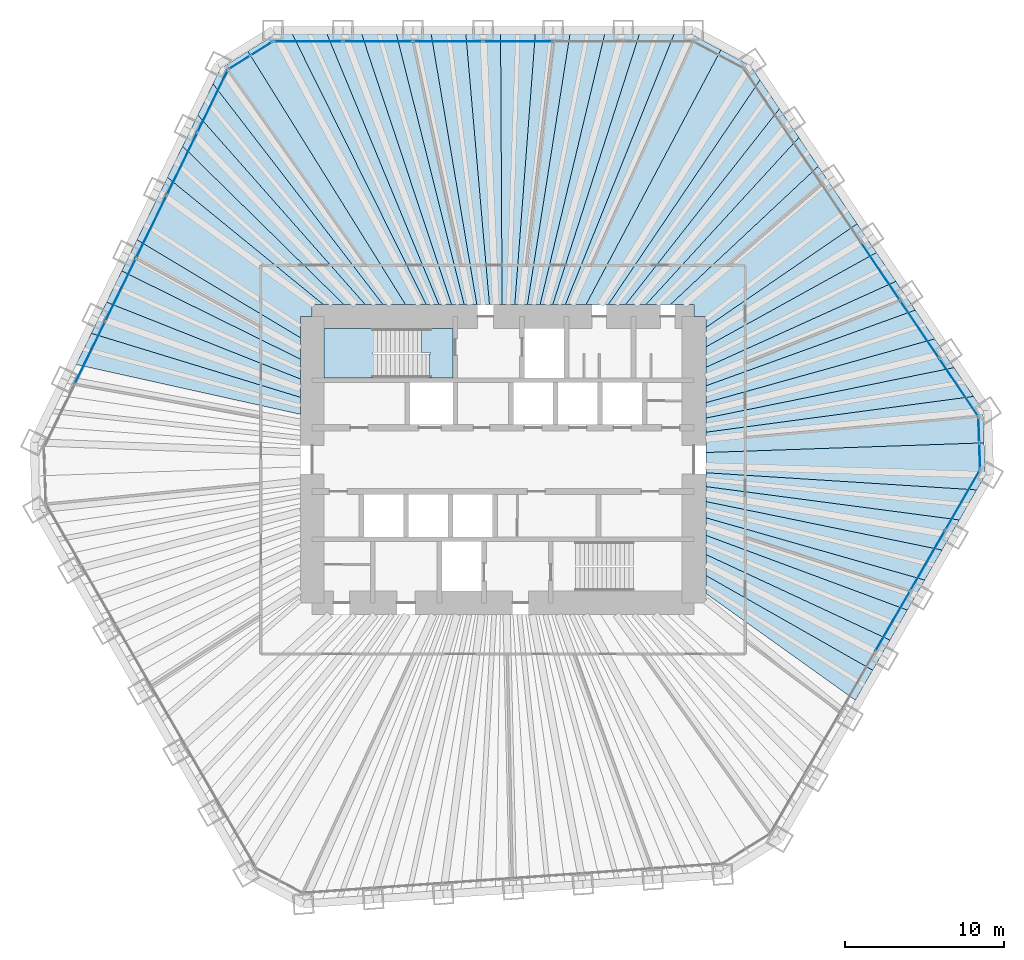
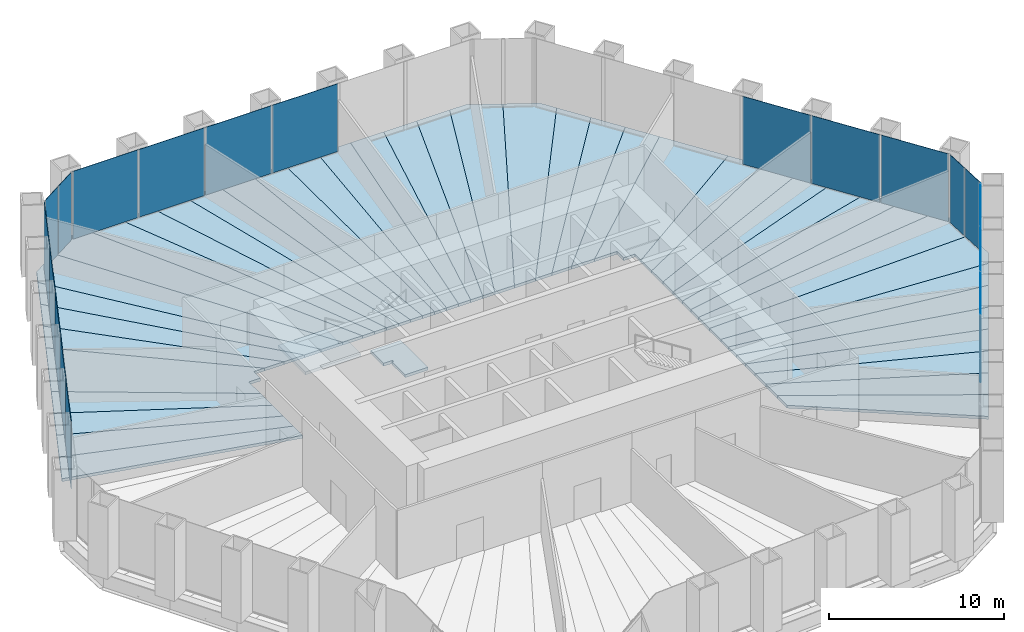
# One storey, part 9 of 13: 44 slabs, 19 plates, 7 elements without a shape of their own.
"""IFC4 building model written with IfcOpenShell, lengths in metres."""

from ifc_helpers import new_model, si_unit, direction, frame, origin, origin_2d, place, context, subcontext, project, spatial, polyline, rectangle, outline, extrude, material, layer, layer_set, type_object, element, aggregate, save


model = new_model("IFC4")

# Units and contexts
model_context = context("Model", 3, precision=1e-05, world=origin(), true_north=direction((0.0, 1.0)))
body_context = subcontext(model_context, "Body", "Model", "MODEL_VIEW")
ifc_project = project(units=[si_unit("LENGTHUNIT", "METRE"), si_unit("AREAUNIT", "SQUARE_METRE"), si_unit("VOLUMEUNIT", "CUBIC_METRE"), si_unit("PLANEANGLEUNIT", "RADIAN"), si_unit("MASSUNIT", "GRAM", prefix="KILO")], contexts=[model_context])

# Site, building, storey
site_placement = place(None, origin())
site = spatial("IfcSite", under=ifc_project, at=site_placement, CompositionType="ELEMENT")
building_placement = place(site_placement, origin())
building = spatial("IfcBuilding", under=site, at=building_placement, Name="Qingtian Harvest Tower", CompositionType="ELEMENT")
storey_placement = place(building_placement, frame((0.0, 0.0, 62.0)))
storey = spatial("IfcBuildingStorey", under=building, at=storey_placement, Name="L12", CompositionType="ELEMENT", Elevation=62.0)

# Slabs
ifc_material_1 = material(Name="Concrete fc' 35 MPa", Category="concrete")
ifc_layer_1 = layer(ifc_material_1, 0.199951171875)
ifc_layer_set_1 = layer_set([ifc_layer_1], Name="Composite floor slab FS20 200")
slab_type_1 = type_object("IfcSlabType", Name="Composite floor slab FS20 200", PredefinedType="FLOOR", material=ifc_layer_set_1)
slab_1_placement = place(storey_placement, frame((0.0, 0.0, -0.199951171875)))
element("IfcSlab", 1, at=slab_1_placement, inside=storey, type_object=slab_type_1, Name="Floor slab L12 panel D32", PredefinedType="FLOOR", context=body_context, shape_type="SweptSolid", body=[
    extrude(outline(polyline([(12.75, -7.279052734375), (23.247802734375, -13.243408203125), (22.159423828125, -15.128662109375), (12.75, -8.4091796875), (12.75, -7.279052734375)])), origin(), (0.0, 0.0, 1.0), 0.199951171875),
])
slab_2_placement = place(storey_placement, frame((0.0, 0.0, -0.199951171875)))
element("IfcSlab", 2, at=slab_2_placement, inside=storey, type_object=slab_type_1, Name="Floor slab L12 panel D33", PredefinedType="FLOOR", context=body_context, shape_type="SweptSolid", body=[
    extrude(outline(polyline([(12.75, -5.96142578125), (24.339111328125, -11.353515625), (23.247802734375, -13.243408203125), (12.75, -7.279052734375), (12.75, -5.96142578125)])), origin(), (0.0, 0.0, 1.0), 0.199951171875),
])
slab_3_placement = place(storey_placement, frame((0.0, 0.0, -0.199951171875)))
element("IfcSlab", 3, at=slab_3_placement, inside=storey, type_object=slab_type_1, Name="Floor slab L12 panel D34", PredefinedType="FLOOR", context=body_context, shape_type="SweptSolid", body=[
    extrude(outline(polyline([(12.75, -4.757080078125), (25.43017578125, -9.46337890625), (24.339111328125, -11.353515625), (12.75, -5.96142578125), (12.75, -4.757080078125)])), origin(), (0.0, 0.0, 1.0), 0.199951171875),
])
slab_4_placement = place(storey_placement, frame((0.0, 0.0, -0.199951171875)))
element("IfcSlab", 4, at=slab_4_placement, inside=storey, type_object=slab_type_1, Name="Floor slab L12 panel D35", PredefinedType="FLOOR", context=body_context, shape_type="SweptSolid", body=[
    extrude(outline(polyline([(12.75, -3.651611328125), (26.521484375, -7.573486328125), (25.43017578125, -9.46337890625), (12.75, -4.757080078125), (12.75, -3.651611328125)])), origin(), (0.0, 0.0, 1.0), 0.199951171875),
])
slab_5_placement = place(storey_placement, frame((0.0, 0.0, -0.199951171875)))
element("IfcSlab", 5, at=slab_5_placement, inside=storey, type_object=slab_type_1, Name="Floor slab L12 panel D36", PredefinedType="FLOOR", context=body_context, shape_type="SweptSolid", body=[
    extrude(outline(polyline([(12.75, -2.634033203125), (27.612548828125, -5.68359375), (26.521484375, -7.573486328125), (12.75, -3.651611328125), (12.75, -2.634033203125)])), origin(), (0.0, 0.0, 1.0), 0.199951171875),
])
slab_6_placement = place(storey_placement, frame((0.0, 0.0, -0.199951171875)))
element("IfcSlab", 6, at=slab_6_placement, inside=storey, type_object=slab_type_1, Name="Floor slab L12 panel D37", PredefinedType="FLOOR", context=body_context, shape_type="SweptSolid", body=[
    extrude(outline(polyline([(12.75, -1.693603515625), (28.703857421875, -3.793701171875), (27.612548828125, -5.68359375), (12.75, -2.634033203125), (12.75, -1.693603515625)])), origin(), (0.0, 0.0, 1.0), 0.199951171875),
])
slab_7_placement = place(storey_placement, frame((0.0, 0.0, -0.199951171875)))
element("IfcSlab", 7, at=slab_7_placement, inside=storey, type_object=slab_type_1, Name="Floor slab L12 panel D38", PredefinedType="FLOOR", context=body_context, shape_type="SweptSolid", body=[
    extrude(outline(polyline([(12.75, -0.822265625), (29.794921875, -1.903564453125), (28.703857421875, -3.793701171875), (12.75, -1.693603515625), (12.75, -0.822265625)])), origin(), (0.0, 0.0, 1.0), 0.199951171875),
])
slab_8_placement = place(storey_placement, frame((0.0, 0.0, -0.199951171875)))
element("IfcSlab", 8, at=slab_8_placement, inside=storey, type_object=slab_type_1, Name="Floor slab L12 panel D39", PredefinedType="FLOOR", context=body_context, shape_type="SweptSolid", body=[
    extrude(outline(polyline([(12.75, -0.822265625), (12.75, 0.447265625), (30.2587890625, 1.056640625), (30.32958984375, -0.9775390625), (29.794921875, -1.903564453125), (12.75, -0.822265625)])), origin(), (0.0, 0.0, 1.0), 0.199951171875),
])
slab_9_placement = place(storey_placement, frame((0.0, 0.0, -0.199951171875)))
element("IfcSlab", 9, at=slab_9_placement, inside=storey, type_object=slab_type_1, Name="Floor slab L12 panel D40", PredefinedType="FLOOR", context=body_context, shape_type="SweptSolid", body=[
    extrude(outline(polyline([(12.75, 0.447265625), (12.75, 1.72265625), (29.589599609375, 3.977294921875), (30.187744140625, 3.0908203125), (30.2587890625, 1.056640625), (12.75, 0.447265625)])), origin(), (0.0, 0.0, 1.0), 0.199951171875),
])
slab_10_placement = place(storey_placement, frame((0.0, 0.0, -0.199951171875)))
element("IfcSlab", 10, at=slab_10_placement, inside=storey, type_object=slab_type_1, Name="Floor slab L12 panel D41", PredefinedType="FLOOR", context=body_context, shape_type="SweptSolid", body=[
    extrude(outline(polyline([(12.75, 2.610595703125), (28.369140625, 5.78662109375), (29.589599609375, 3.977294921875), (12.75, 1.72265625), (12.75, 2.610595703125)])), origin(), (0.0, 0.0, 1.0), 0.199951171875),
])
slab_11_placement = place(storey_placement, frame((0.0, 0.0, -0.199951171875)))
element("IfcSlab", 11, at=slab_11_placement, inside=storey, type_object=slab_type_1, Name="Floor slab L12 panel D42", PredefinedType="FLOOR", context=body_context, shape_type="SweptSolid", body=[
    extrude(outline(polyline([(12.75, 3.57861328125), (27.14892578125, 7.595947265625), (28.369140625, 5.78662109375), (12.75, 2.610595703125), (12.75, 3.57861328125)])), origin(), (0.0, 0.0, 1.0), 0.199951171875),
])
slab_12_placement = place(storey_placement, frame((0.0, 0.0, -0.199951171875)))
element("IfcSlab", 12, at=slab_12_placement, inside=storey, type_object=slab_type_1, Name="Floor slab L12 panel D43", PredefinedType="FLOOR", context=body_context, shape_type="SweptSolid", body=[
    extrude(outline(polyline([(12.75, 4.6376953125), (25.928466796875, 9.405029296875), (27.14892578125, 7.595947265625), (12.75, 3.57861328125), (12.75, 4.6376953125)])), origin(), (0.0, 0.0, 1.0), 0.199951171875),
])
slab_13_placement = place(storey_placement, frame((0.0, 0.0, -0.199951171875)))
element("IfcSlab", 13, at=slab_13_placement, inside=storey, type_object=slab_type_1, Name="Floor slab L12 panel D44", PredefinedType="FLOOR", context=body_context, shape_type="SweptSolid", body=[
    extrude(outline(polyline([(12.75, 5.8017578125), (24.708251953125, 11.21435546875), (25.928466796875, 9.405029296875), (12.75, 4.6376953125), (12.75, 5.8017578125)])), origin(), (0.0, 0.0, 1.0), 0.199951171875),
])
slab_14_placement = place(storey_placement, frame((0.0, 0.0, -0.199951171875)))
element("IfcSlab", 14, at=slab_14_placement, inside=storey, type_object=slab_type_1, Name="Floor slab L12 panel D45", PredefinedType="FLOOR", context=body_context, shape_type="SweptSolid", body=[
    extrude(outline(polyline([(12.75, 7.087158203125), (23.48779296875, 13.023681640625), (24.708251953125, 11.21435546875), (12.75, 5.8017578125), (12.75, 7.087158203125)])), origin(), (0.0, 0.0, 1.0), 0.199951171875),
])
slab_15_placement = place(storey_placement, frame((0.0, 0.0, -0.199951171875)))
element("IfcSlab", 15, at=slab_15_placement, inside=storey, type_object=slab_type_1, Name="Floor slab L12 panel D46", PredefinedType="FLOOR", context=body_context, shape_type="SweptSolid", body=[
    extrude(outline(polyline([(12.75, 8.30615234375), (22.26953125, 14.829833984375), (23.48779296875, 13.023681640625), (12.75, 7.087158203125), (12.75, 8.30615234375)])), origin(), (0.0, 0.0, 1.0), 0.199951171875),
])
slab_16_placement = place(storey_placement, frame((0.0, 0.0, -0.199951171875)))
element("IfcSlab", 16, at=slab_16_placement, inside=storey, type_object=slab_type_1, Name="Floor slab L12 panel D48", PredefinedType="FLOOR", context=body_context, shape_type="SweptSolid", body=[
    extrude(outline(polyline([(19.8271484375, 18.45068359375), (22.26953125, 14.829833984375), (12.75, 8.30615234375), (12.75, 9.0), (12.0, 9.0), (12.0, 9.75), (10.51806640625, 9.75), (19.8271484375, 18.45068359375)])), origin(), (0.0, 0.0, 1.0), 0.199951171875),
])
slab_17_placement = place(storey_placement, frame((0.0, 0.0, -0.199951171875)))
element("IfcSlab", 17, at=slab_17_placement, inside=storey, type_object=slab_type_1, Name="Floor slab L12 panel D49", PredefinedType="FLOOR", context=body_context, shape_type="SweptSolid", body=[
    extrude(outline(polyline([(8.985107421875, 9.75), (18.60693359375, 20.260009765625), (19.8271484375, 18.45068359375), (10.51806640625, 9.75), (8.985107421875, 9.75)])), origin(), (0.0, 0.0, 1.0), 0.199951171875),
])
slab_18_placement = place(storey_placement, frame((0.0, 0.0, -0.199951171875)))
element("IfcSlab", 18, at=slab_18_placement, inside=storey, type_object=slab_type_1, Name="Floor slab L12 panel D50", PredefinedType="FLOOR", context=body_context, shape_type="SweptSolid", body=[
    extrude(outline(polyline([(7.705078125, 9.75), (17.386474609375, 22.0693359375), (18.60693359375, 20.260009765625), (8.985107421875, 9.75), (7.705078125, 9.75)])), origin(), (0.0, 0.0, 1.0), 0.199951171875),
])
slab_19_placement = place(storey_placement, frame((0.0, 0.0, -0.199951171875)))
element("IfcSlab", 19, at=slab_19_placement, inside=storey, type_object=slab_type_1, Name="Floor slab L12 panel D51", PredefinedType="FLOOR", context=body_context, shape_type="SweptSolid", body=[
    extrude(outline(polyline([(6.61962890625, 9.75), (16.166015625, 23.87841796875), (17.386474609375, 22.0693359375), (7.705078125, 9.75), (6.61962890625, 9.75)])), origin(), (0.0, 0.0, 1.0), 0.199951171875),
])
slab_20_placement = place(storey_placement, frame((0.0, 0.0, -0.199951171875)))
element("IfcSlab", 20, at=slab_20_placement, inside=storey, type_object=slab_type_1, Name="Floor slab L12 panel D52", PredefinedType="FLOOR", context=body_context, shape_type="SweptSolid", body=[
    extrude(outline(polyline([(6.61962890625, 9.75), (5.21875, 9.75), (13.697265625, 25.760009765625), (15.56787109375, 24.765380859375), (16.166015625, 23.87841796875), (6.61962890625, 9.75)])), origin(), (0.0, 0.0, 1.0), 0.199951171875),
])
slab_21_placement = place(storey_placement, frame((0.0, 0.0, -0.199951171875)))
element("IfcSlab", 21, at=slab_21_placement, inside=storey, type_object=slab_type_1, Name="Floor slab L12 panel D53", PredefinedType="FLOOR", context=body_context, shape_type="SweptSolid", body=[
    extrude(outline(polyline([(3.919921875, 9.75), (10.756591796875, 26.7548828125), (11.825927734375, 26.7548828125), (13.697265625, 25.760009765625), (5.21875, 9.75), (3.919921875, 9.75)])), origin(), (0.0, 0.0, 1.0), 0.199951171875),
])
slab_22_placement = place(storey_placement, frame((0.0, 0.0, -0.199951171875)))
element("IfcSlab", 22, at=slab_22_placement, inside=storey, type_object=slab_type_1, Name="Floor slab L12 panel D54", PredefinedType="FLOOR", context=body_context, shape_type="SweptSolid", body=[
    extrude(outline(polyline([(3.12451171875, 9.75), (8.57421875, 26.7548828125), (10.756591796875, 26.7548828125), (3.919921875, 9.75), (3.12451171875, 9.75)])), origin(), (0.0, 0.0, 1.0), 0.199951171875),
])
slab_23_placement = place(storey_placement, frame((0.0, 0.0, -0.199951171875)))
element("IfcSlab", 23, at=slab_23_placement, inside=storey, type_object=slab_type_1, Name="Floor slab L12 panel D55", PredefinedType="FLOOR", context=body_context, shape_type="SweptSolid", body=[
    extrude(outline(polyline([(2.329345703125, 9.75), (6.391845703125, 26.7548828125), (8.57421875, 26.7548828125), (3.12451171875, 9.75), (2.329345703125, 9.75)])), origin(), (0.0, 0.0, 1.0), 0.199951171875),
])
slab_24_placement = place(storey_placement, frame((0.0, 0.0, -0.199951171875)))
element("IfcSlab", 24, at=slab_24_placement, inside=storey, type_object=slab_type_1, Name="Floor slab L12 panel D56", PredefinedType="FLOOR", context=body_context, shape_type="SweptSolid", body=[
    extrude(outline(polyline([(1.533935546875, 9.75), (4.20947265625, 26.7548828125), (6.391845703125, 26.7548828125), (2.329345703125, 9.75), (1.533935546875, 9.75)])), origin(), (0.0, 0.0, 1.0), 0.199951171875),
])
slab_25_placement = place(storey_placement, frame((0.0, 0.0, -0.199951171875)))
element("IfcSlab", 25, at=slab_25_placement, inside=storey, type_object=slab_type_1, Name="Floor slab L12 panel D57", PredefinedType="FLOOR", context=body_context, shape_type="SweptSolid", body=[
    extrude(outline(polyline([(0.73876953125, 9.75), (2.02734375, 26.7548828125), (4.20947265625, 26.7548828125), (1.533935546875, 9.75), (0.73876953125, 9.75)])), origin(), (0.0, 0.0, 1.0), 0.199951171875),
])
slab_26_placement = place(storey_placement, frame((0.0, 0.0, -0.199951171875)))
element("IfcSlab", 26, at=slab_26_placement, inside=storey, type_object=slab_type_1, Name="Floor slab L12 panel D58", PredefinedType="FLOOR", context=body_context, shape_type="SweptSolid", body=[
    extrude(outline(polyline([(-0.056396484375, 9.75), (-0.155029296875, 26.7548828125), (2.02734375, 26.7548828125), (0.73876953125, 9.75), (-0.056396484375, 9.75)])), origin(), (0.0, 0.0, 1.0), 0.199951171875),
])
slab_27_placement = place(storey_placement, frame((0.0, 0.0, -0.199951171875)))
element("IfcSlab", 27, at=slab_27_placement, inside=storey, type_object=slab_type_1, Name="Floor slab L12 panel D59", PredefinedType="FLOOR", context=body_context, shape_type="SweptSolid", body=[
    extrude(outline(polyline([(-0.851806640625, 9.75), (-2.33740234375, 26.7548828125), (-0.155029296875, 26.7548828125), (-0.056396484375, 9.75), (-0.851806640625, 9.75)])), origin(), (0.0, 0.0, 1.0), 0.199951171875),
])
slab_28_placement = place(storey_placement, frame((0.0, 0.0, -0.199951171875)))
element("IfcSlab", 28, at=slab_28_placement, inside=storey, type_object=slab_type_1, Name="Floor slab L12 panel D60", PredefinedType="FLOOR", context=body_context, shape_type="SweptSolid", body=[
    extrude(outline(polyline([(-1.64697265625, 9.75), (-4.519775390625, 26.7548828125), (-2.33740234375, 26.7548828125), (-0.851806640625, 9.75), (-1.64697265625, 9.75)])), origin(), (0.0, 0.0, 1.0), 0.199951171875),
])
slab_29_placement = place(storey_placement, frame((0.0, 0.0, -0.199951171875)))
element("IfcSlab", 29, at=slab_29_placement, inside=storey, type_object=slab_type_1, Name="Floor slab L12 panel D61", PredefinedType="FLOOR", context=body_context, shape_type="SweptSolid", body=[
    extrude(outline(polyline([(-2.4423828125, 9.75), (-6.7021484375, 26.7548828125), (-4.519775390625, 26.7548828125), (-1.64697265625, 9.75), (-2.4423828125, 9.75)])), origin(), (0.0, 0.0, 1.0), 0.199951171875),
])
slab_30_placement = place(storey_placement, frame((0.0, 0.0, -0.199951171875)))
element("IfcSlab", 30, at=slab_30_placement, inside=storey, type_object=slab_type_1, Name="Floor slab L12 panel D62", PredefinedType="FLOOR", context=body_context, shape_type="SweptSolid", body=[
    extrude(outline(polyline([(-3.237548828125, 9.75), (-8.88427734375, 26.7548828125), (-6.7021484375, 26.7548828125), (-2.4423828125, 9.75), (-3.237548828125, 9.75)])), origin(), (0.0, 0.0, 1.0), 0.199951171875),
])
slab_31_placement = place(storey_placement, frame((0.0, 0.0, -0.199951171875)))
element("IfcSlab", 31, at=slab_31_placement, inside=storey, type_object=slab_type_1, Name="Floor slab L12 panel D63", PredefinedType="FLOOR", context=body_context, shape_type="SweptSolid", body=[
    extrude(outline(polyline([(-4.032958984375, 9.75), (-11.066650390625, 26.7548828125), (-8.88427734375, 26.7548828125), (-3.237548828125, 9.75), (-4.032958984375, 9.75)])), origin(), (0.0, 0.0, 1.0), 0.199951171875),
])
slab_32_placement = place(storey_placement, frame((0.0, 0.0, -0.199951171875)))
element("IfcSlab", 32, at=slab_32_placement, inside=storey, type_object=slab_type_1, Name="Floor slab L12 panel D64", PredefinedType="FLOOR", context=body_context, shape_type="SweptSolid", body=[
    extrude(outline(polyline([(-4.828125, 9.75), (-13.2490234375, 26.7548828125), (-11.066650390625, 26.7548828125), (-4.032958984375, 9.75), (-4.828125, 9.75)])), origin(), (0.0, 0.0, 1.0), 0.199951171875),
])
slab_33_placement = place(storey_placement, frame((0.0, 0.0, -0.199951171875)))
element("IfcSlab", 33, at=slab_33_placement, inside=storey, type_object=slab_type_1, Name="Floor slab L12 panel D65", PredefinedType="FLOOR", context=body_context, shape_type="SweptSolid", body=[
    extrude(outline(polyline([(-4.828125, 9.75), (-6.130126953125, 9.75), (-16.044921875, 25.67626953125), (-14.318359375, 26.7548828125), (-13.2490234375, 26.7548828125), (-4.828125, 9.75)])), origin(), (0.0, 0.0, 1.0), 0.199951171875),
])
slab_34_placement = place(storey_placement, frame((0.0, 0.0, -0.199951171875)))
element("IfcSlab", 34, at=slab_34_placement, inside=storey, type_object=slab_type_1, Name="Floor slab L12 panel D66", PredefinedType="FLOOR", context=body_context, shape_type="SweptSolid", body=[
    extrude(outline(polyline([(-6.130126953125, 9.75), (-7.544677734375, 9.75), (-18.239501953125, 23.636474609375), (-17.7705078125, 24.597900390625), (-16.044921875, 25.67626953125), (-6.130126953125, 9.75)])), origin(), (0.0, 0.0, 1.0), 0.199951171875),
])
slab_35_placement = place(storey_placement, frame((0.0, 0.0, -0.199951171875)))
element("IfcSlab", 35, at=slab_35_placement, inside=storey, type_object=slab_type_1, Name="Floor slab L12 panel D67", PredefinedType="FLOOR", context=body_context, shape_type="SweptSolid", body=[
    extrude(outline(polyline([(-8.662109375, 9.75), (-19.196044921875, 21.675048828125), (-18.239501953125, 23.636474609375), (-7.544677734375, 9.75), (-8.662109375, 9.75)])), origin(), (0.0, 0.0, 1.0), 0.199951171875),
])
slab_36_placement = place(storey_placement, frame((0.0, 0.0, -0.199951171875)))
element("IfcSlab", 36, at=slab_36_placement, inside=storey, type_object=slab_type_1, Name="Floor slab L12 panel D68", PredefinedType="FLOOR", context=body_context, shape_type="SweptSolid", body=[
    extrude(outline(polyline([(-10.00341796875, 9.75), (-20.15283203125, 19.71337890625), (-19.196044921875, 21.675048828125), (-8.662109375, 9.75), (-10.00341796875, 9.75)])), origin(), (0.0, 0.0, 1.0), 0.199951171875),
])
slab_37_placement = place(storey_placement, frame((0.0, 0.0, -0.199951171875)))
element("IfcSlab", 37, at=slab_37_placement, inside=storey, type_object=slab_type_1, Name="Floor slab L12 panel D69", PredefinedType="FLOOR", context=body_context, shape_type="SweptSolid", body=[
    extrude(outline(polyline([(-11.2939453125, 9.75), (-21.107666015625, 17.755859375), (-20.15283203125, 19.71337890625), (-10.00341796875, 9.75), (-11.2939453125, 9.75)])), origin(), (0.0, 0.0, 1.0), 0.199951171875),
])
slab_38_placement = place(storey_placement, frame((0.0, 0.0, -0.199951171875)))
element("IfcSlab", 38, at=slab_38_placement, inside=storey, type_object=slab_type_1, Name="Floor slab L12 panel D70", PredefinedType="FLOOR", context=body_context, shape_type="SweptSolid", body=[
    extrude(outline(polyline([(-12.0, 9.0), (-12.75, 9.0), (-12.75, 7.67333984375), (-23.0224609375, 13.82958984375), (-21.107666015625, 17.755859375), (-11.2939453125, 9.75), (-12.0, 9.75), (-12.0, 9.0)])), origin(), (0.0, 0.0, 1.0), 0.199951171875),
])
slab_39_placement = place(storey_placement, frame((0.0, 0.0, -0.199951171875)))
element("IfcSlab", 39, at=slab_39_placement, inside=storey, type_object=slab_type_1, Name="Floor slab L12 panel D72", PredefinedType="FLOOR", context=body_context, shape_type="SweptSolid", body=[
    extrude(outline(polyline([(-12.75, 6.3232421875), (-23.979248046875, 11.8681640625), (-23.0224609375, 13.82958984375), (-12.75, 7.67333984375), (-12.75, 6.3232421875)])), origin(), (0.0, 0.0, 1.0), 0.199951171875),
])
slab_40_placement = place(storey_placement, frame((0.0, 0.0, -0.199951171875)))
element("IfcSlab", 40, at=slab_40_placement, inside=storey, type_object=slab_type_1, Name="Floor slab L12 panel D73", PredefinedType="FLOOR", context=body_context, shape_type="SweptSolid", body=[
    extrude(outline(polyline([(-12.75, 5.076904296875), (-24.935791015625, 9.90673828125), (-23.979248046875, 11.8681640625), (-12.75, 6.3232421875), (-12.75, 5.076904296875)])), origin(), (0.0, 0.0, 1.0), 0.199951171875),
])
slab_41_placement = place(storey_placement, frame((0.0, 0.0, -0.199951171875)))
element("IfcSlab", 41, at=slab_41_placement, inside=storey, type_object=slab_type_1, Name="Floor slab L12 panel D74", PredefinedType="FLOOR", context=body_context, shape_type="SweptSolid", body=[
    extrude(outline(polyline([(-12.75, 3.922607421875), (-25.892578125, 7.9453125), (-24.935791015625, 9.90673828125), (-12.75, 5.076904296875), (-12.75, 3.922607421875)])), origin(), (0.0, 0.0, 1.0), 0.199951171875),
])
slab_42_placement = place(storey_placement, frame((0.0, 0.0, -0.199951171875)))
element("IfcSlab", 42, at=slab_42_placement, inside=storey, type_object=slab_type_1, Name="Floor slab L12 panel D75", PredefinedType="FLOOR", context=body_context, shape_type="SweptSolid", body=[
    extrude(outline(polyline([(-12.75, 2.8505859375), (-26.84912109375, 5.98388671875), (-25.892578125, 7.9453125), (-12.75, 3.922607421875), (-12.75, 2.8505859375)])), origin(), (0.0, 0.0, 1.0), 0.199951171875),
])

# Curtain wall, plates
ifc_material_2 = material(Name="Bronze-anodised aluminium curtain wall", Category="aluminium")
curtain_wall_type = type_object("IfcCurtainWallType", Name="Curtain wall CW2 farm reception", PredefinedType="USERDEFINED", material=ifc_material_2)
curtain_wall_1_placement = place(storey_placement, origin())
curtain_wall_1 = element("IfcCurtainWall", 43, at=curtain_wall_1_placement, inside=storey, type_object=curtain_wall_type, Name="Curtain wall CW2 L12 N0-5", ObjectType="RECESSED CURTAIN WALL", PredefinedType="USERDEFINED")
ifc_material_3 = material(Name="Bronze-tinted laminated insulating glass", Category="glass")
ifc_layer_2 = layer(ifc_material_3, 0.030029296875)
ifc_layer_set_2 = layer_set([ifc_layer_2], Name="Glazed panel CWP tinted IGU")
plate_type = type_object("IfcPlateType", Name="Glazed panel CWP tinted IGU", PredefinedType="CURTAIN_PANEL", material=ifc_layer_set_2)
plate_1_placement = place(storey_placement, frame((-12.2529296875, 26.300048828125, 0.06494140625), z_axis=(0.0, 0.0, 1.0), x_axis=(1.0, 0.0, 0.0)))
plate_1 = element("IfcPlate", 44, at=plate_1_placement, type_object=plate_type, Name="CW2 panel 1.1", PredefinedType="CURTAIN_PANEL", context=body_context, shape_type="SweptSolid", body=[
    extrude(rectangle(XDim=4.30712890625, YDim=0.030029296875, at=origin_2d()), origin(), (0.0, 0.0, 1.0), 4.735107421875),
])
plate_2_placement = place(storey_placement, frame((-7.864501953125, 26.300048828125, 0.06494140625), z_axis=(0.0, 0.0, 1.0), x_axis=(1.0, 0.0, 0.0)))
plate_2 = element("IfcPlate", 45, at=plate_2_placement, type_object=plate_type, Name="CW2 panel 2.1", PredefinedType="CURTAIN_PANEL", context=body_context, shape_type="SweptSolid", body=[
    extrude(rectangle(XDim=4.339599609375, YDim=0.030029296875, at=origin_2d()), origin(), (0.0, 0.0, 1.0), 4.735107421875),
])
plate_3_placement = place(storey_placement, frame((-3.4599609375, 26.300048828125, 0.06494140625), z_axis=(0.0, 0.0, 1.0), x_axis=(1.0, 0.0, 0.0)))
plate_3 = element("IfcPlate", 46, at=plate_3_placement, type_object=plate_type, Name="CW2 panel 3.1", PredefinedType="CURTAIN_PANEL", context=body_context, shape_type="SweptSolid", body=[
    extrude(rectangle(XDim=4.339599609375, YDim=0.030029296875, at=origin_2d()), origin(), (0.0, 0.0, 1.0), 4.735107421875),
])
plate_4_placement = place(storey_placement, frame((0.944580078125, 26.300048828125, 0.06494140625), z_axis=(0.0, 0.0, 1.0), x_axis=(1.0, 0.0, 0.0)))
plate_4 = element("IfcPlate", 47, at=plate_4_placement, type_object=plate_type, Name="CW2 panel 4.1", PredefinedType="CURTAIN_PANEL", context=body_context, shape_type="SweptSolid", body=[
    extrude(rectangle(XDim=4.339599609375, YDim=0.030029296875, at=origin_2d()), origin(), (0.0, 0.0, 1.0), 4.735107421875),
])
aggregate(curtain_wall_1, [plate_1, plate_2, plate_3, plate_4])

curtain_wall_2_placement = place(storey_placement, origin())
curtain_wall_2 = element("IfcCurtainWall", 48, at=curtain_wall_2_placement, inside=storey, type_object=curtain_wall_type, Name="Curtain wall CW2 L12 NE0-5", ObjectType="RECESSED CURTAIN WALL", PredefinedType="USERDEFINED")
plate_5_placement = place(storey_placement, frame((23.738525390625, 11.83837890625, 0.06494140625), z_axis=(0.0, 0.0, 1.0), x_axis=(0.559192903471, -0.829037572555, 0.0)))
plate_5 = element("IfcPlate", 49, at=plate_5_placement, type_object=plate_type, Name="CW2 panel 4.1", PredefinedType="CURTAIN_PANEL", context=body_context, shape_type="SweptSolid", body=[
    extrude(rectangle(XDim=4.339599609375, YDim=0.030029296875, at=origin_2d()), origin(), (0.0, 0.0, 1.0), 4.735107421875),
])
plate_6_placement = place(storey_placement, frame((26.201416015625, 8.186767578125, 0.06494140625), z_axis=(0.0, 0.0, 1.0), x_axis=(0.559192903471, -0.829037572555, 0.0)))
plate_6 = element("IfcPlate", 50, at=plate_6_placement, type_object=plate_type, Name="CW2 panel 5.1", PredefinedType="CURTAIN_PANEL", context=body_context, shape_type="SweptSolid", body=[
    extrude(rectangle(XDim=4.339599609375, YDim=0.030029296875, at=origin_2d()), origin(), (0.0, 0.0, 1.0), 4.735107421875),
])
plate_7_placement = place(storey_placement, frame((28.655517578125, 4.548583984375, 0.06494140625), z_axis=(0.0, 0.0, 1.0), x_axis=(0.559192903471, -0.829037572555, 0.0)))
plate_7 = element("IfcPlate", 51, at=plate_7_placement, type_object=plate_type, Name="CW2 panel 6.1", PredefinedType="CURTAIN_PANEL", context=body_context, shape_type="SweptSolid", body=[
    extrude(rectangle(XDim=4.30712890625, YDim=0.030029296875, at=origin_2d()), origin(), (0.0, 0.0, 1.0), 4.735107421875),
])
aggregate(curtain_wall_2, [plate_5, plate_6, plate_7])

curtain_wall_3_placement = place(storey_placement, origin())
curtain_wall_3 = element("IfcCurtainWall", 52, at=curtain_wall_3_placement, inside=storey, type_object=curtain_wall_type, Name="Curtain wall CW2 L12 NEC", ObjectType="RECESSED CURTAIN WALL", PredefinedType="USERDEFINED")
plate_8_placement = place(storey_placement, frame((29.925537109375, 1.861572265625, 0.06494140625), z_axis=(0.0, 0.0, 1.0), x_axis=(0.034899496703, -0.999390827019, 0.0)))
plate_8 = element("IfcPlate", 53, at=plate_8_placement, type_object=plate_type, Name="CW2 panel 1.1", PredefinedType="CURTAIN_PANEL", context=body_context, shape_type="SweptSolid", body=[
    extrude(rectangle(XDim=1.56689453125, YDim=0.030029296875, at=origin_2d()), origin(), (0.0, 0.0, 1.0), 4.735107421875),
])
plate_9_placement = place(storey_placement, frame((29.982666015625, 0.23046875, 0.06494140625), z_axis=(0.0, 0.0, 1.0), x_axis=(0.034899496703, -0.999390827019, 0.0)))
plate_9 = element("IfcPlate", 54, at=plate_9_placement, type_object=plate_type, Name="CW2 panel 2.1", PredefinedType="CURTAIN_PANEL", context=body_context, shape_type="SweptSolid", body=[
    extrude(rectangle(XDim=1.56689453125, YDim=0.030029296875, at=origin_2d()), origin(), (0.0, 0.0, 1.0), 4.735107421875),
])
aggregate(curtain_wall_3, [plate_8, plate_9])

curtain_wall_4_placement = place(storey_placement, origin())
curtain_wall_4 = element("IfcCurtainWall", 55, at=curtain_wall_4_placement, inside=storey, type_object=curtain_wall_type, Name="Curtain wall CW2 L12 SE0-5", ObjectType="RECESSED CURTAIN WALL", PredefinedType="USERDEFINED")
plate_10_placement = place(storey_placement, frame((28.90283203125, -2.53857421875, 0.06494140625), z_axis=(0.0, 0.0, 1.0), x_axis=(-0.5, -0.866025403784, 0.0)))
plate_10 = element("IfcPlate", 56, at=plate_10_placement, type_object=plate_type, Name="CW2 panel 1.1", PredefinedType="CURTAIN_PANEL", context=body_context, shape_type="SweptSolid", body=[
    extrude(rectangle(XDim=4.30712890625, YDim=0.030029296875, at=origin_2d()), origin(), (0.0, 0.0, 1.0), 4.735107421875),
])
plate_11_placement = place(storey_placement, frame((26.708740234375, -6.339111328125, 0.06494140625), z_axis=(0.0, 0.0, 1.0), x_axis=(-0.5, -0.866025403784, 0.0)))
plate_11 = element("IfcPlate", 57, at=plate_11_placement, type_object=plate_type, Name="CW2 panel 2.1", PredefinedType="CURTAIN_PANEL", context=body_context, shape_type="SweptSolid", body=[
    extrude(rectangle(XDim=4.339599609375, YDim=0.030029296875, at=origin_2d()), origin(), (0.0, 0.0, 1.0), 4.735107421875),
])
plate_12_placement = place(storey_placement, frame((24.50634765625, -10.153564453125, 0.06494140625), z_axis=(0.0, 0.0, 1.0), x_axis=(-0.5, -0.866025403784, 0.0)))
plate_12 = element("IfcPlate", 58, at=plate_12_placement, type_object=plate_type, Name="CW2 panel 3.1", PredefinedType="CURTAIN_PANEL", context=body_context, shape_type="SweptSolid", body=[
    extrude(rectangle(XDim=4.339599609375, YDim=0.030029296875, at=origin_2d()), origin(), (0.0, 0.0, 1.0), 4.735107421875),
])
aggregate(curtain_wall_4, [plate_10, plate_11, plate_12])

curtain_wall_5_placement = place(storey_placement, origin())
curtain_wall_5 = element("IfcCurtainWall", 59, at=curtain_wall_5_placement, inside=storey, type_object=curtain_wall_type, Name="Curtain wall CW2 L12 NW0-5", ObjectType="RECESSED CURTAIN WALL", PredefinedType="USERDEFINED")
plate_13_placement = place(storey_placement, frame((-25.983154296875, 6.72119140625, 0.06494140625), z_axis=(0.0, 0.0, 1.0), x_axis=(0.438371146789, 0.898794046299, 0.0)))
plate_13 = element("IfcPlate", 60, at=plate_13_placement, type_object=plate_type, Name="CW2 panel 2.1", PredefinedType="CURTAIN_PANEL", context=body_context, shape_type="SweptSolid", body=[
    extrude(rectangle(XDim=4.339599609375, YDim=0.030029296875, at=origin_2d()), origin(), (0.0, 0.0, 1.0), 4.735107421875),
])
plate_14_placement = place(storey_placement, frame((-24.052490234375, 10.68017578125, 0.06494140625), z_axis=(0.0, 0.0, 1.0), x_axis=(0.438371146789, 0.898794046299, 0.0)))
plate_14 = element("IfcPlate", 61, at=plate_14_placement, type_object=plate_type, Name="CW2 panel 3.1", PredefinedType="CURTAIN_PANEL", context=body_context, shape_type="SweptSolid", body=[
    extrude(rectangle(XDim=4.339599609375, YDim=0.030029296875, at=origin_2d()), origin(), (0.0, 0.0, 1.0), 4.735107421875),
])
plate_15_placement = place(storey_placement, frame((-22.12158203125, 14.638916015625, 0.06494140625), z_axis=(0.0, 0.0, 1.0), x_axis=(0.438371146789, 0.898794046299, 0.0)))
plate_15 = element("IfcPlate", 62, at=plate_15_placement, type_object=plate_type, Name="CW2 panel 4.1", PredefinedType="CURTAIN_PANEL", context=body_context, shape_type="SweptSolid", body=[
    extrude(rectangle(XDim=4.339599609375, YDim=0.030029296875, at=origin_2d()), origin(), (0.0, 0.0, 1.0), 4.735107421875),
])
plate_16_placement = place(storey_placement, frame((-20.190673828125, 18.597900390625, 0.06494140625), z_axis=(0.0, 0.0, 1.0), x_axis=(0.438371146789, 0.898794046299, 0.0)))
plate_16 = element("IfcPlate", 63, at=plate_16_placement, type_object=plate_type, Name="CW2 panel 5.1", PredefinedType="CURTAIN_PANEL", context=body_context, shape_type="SweptSolid", body=[
    extrude(rectangle(XDim=4.339599609375, YDim=0.030029296875, at=origin_2d()), origin(), (0.0, 0.0, 1.0), 4.735107421875),
])
plate_17_placement = place(storey_placement, frame((-18.266845703125, 22.5419921875, 0.06494140625), z_axis=(0.0, 0.0, 1.0), x_axis=(0.438371146789, 0.898794046299, 0.0)))
plate_17 = element("IfcPlate", 64, at=plate_17_placement, type_object=plate_type, Name="CW2 panel 6.1", PredefinedType="CURTAIN_PANEL", context=body_context, shape_type="SweptSolid", body=[
    extrude(rectangle(XDim=4.30712890625, YDim=0.030029296875, at=origin_2d()), origin(), (0.0, 0.0, 1.0), 4.735107421875),
])
aggregate(curtain_wall_5, [plate_13, plate_14, plate_15, plate_16, plate_17])

curtain_wall_6_placement = place(storey_placement, origin())
curtain_wall_6 = element("IfcCurtainWall", 65, at=curtain_wall_6_placement, inside=storey, type_object=curtain_wall_type, Name="Curtain wall CW2 L12 NWC", ObjectType="RECESSED CURTAIN WALL", PredefinedType="USERDEFINED")
plate_18_placement = place(storey_placement, frame((-16.574951171875, 24.985595703125, 0.06494140625), z_axis=(0.0, 0.0, 1.0), x_axis=(0.848048096156, 0.529919264233, 0.0)))
plate_18 = element("IfcPlate", 66, at=plate_18_placement, type_object=plate_type, Name="CW2 panel 1.1", PredefinedType="CURTAIN_PANEL", context=body_context, shape_type="SweptSolid", body=[
    extrude(rectangle(XDim=1.56689453125, YDim=0.030029296875, at=origin_2d()), origin(), (0.0, 0.0, 1.0), 4.735107421875),
])
plate_19_placement = place(storey_placement, frame((-15.19091796875, 25.850341796875, 0.06494140625), z_axis=(0.0, 0.0, 1.0), x_axis=(0.848048096156, 0.529919264233, 0.0)))
plate_19 = element("IfcPlate", 67, at=plate_19_placement, type_object=plate_type, Name="CW2 panel 2.1", PredefinedType="CURTAIN_PANEL", context=body_context, shape_type="SweptSolid", body=[
    extrude(rectangle(XDim=1.56689453125, YDim=0.030029296875, at=origin_2d()), origin(), (0.0, 0.0, 1.0), 4.735107421875),
])
aggregate(curtain_wall_6, [plate_18, plate_19])

# Stair, slabs
ifc_material_4 = material(Name="Concrete fc' 35 MPa", Category="concrete")
stair_type = type_object("IfcStairType", Name="Special stair ST2 5000", PredefinedType="HALF_TURN_STAIR", material=ifc_material_4)
stair_placement = place(storey_placement, origin())
stair = element("IfcStair", 68, at=stair_placement, inside=storey, type_object=stair_type, Name="Special stair S1 L12", PredefinedType="HALF_TURN_STAIR")
ifc_material_5 = material(Name="Concrete fc' 35 MPa", Category="concrete")
ifc_layer_3 = layer(ifc_material_5, 0.199951171875)
ifc_layer_set_3 = layer_set([ifc_layer_3], Name="Stair landing SL2 200")
slab_type_2 = type_object("IfcSlabType", Name="Stair landing SL2 200", PredefinedType="LANDING", material=ifc_layer_set_3)
slab_43_placement = place(storey_placement, frame((0.0, 0.0, -0.199951171875)))
slab_43 = element("IfcSlab", 69, at=slab_43_placement, type_object=slab_type_2, Name="S1 landing 1", PredefinedType="LANDING", context=body_context, shape_type="SweptSolid", body=[
    extrude(outline(polyline([(-4.64990234375, 5.14990234375), (-4.64990234375, 6.64990234375), (-4.550048828125, 6.64990234375), (-4.550048828125, 6.75), (-5.155029296875, 6.75), (-5.155029296875, 8.25), (-3.14990234375, 8.25), (-3.14990234375, 5.14990234375), (-4.64990234375, 5.14990234375)])), origin(), (0.0, 0.0, 1.0), 0.199951171875),
])
slab_44_placement = place(storey_placement, frame((0.0, 0.0, 2.300048828125)))
slab_44 = element("IfcSlab", 70, at=slab_44_placement, type_object=slab_type_2, Name="S1 landing 2", PredefinedType="LANDING", context=body_context, shape_type="SweptSolid", body=[
    extrude(outline(polyline([(-7.5849609375, 5.14990234375), (-11.25, 5.14990234375), (-11.25, 8.25), (-8.090087890625, 8.25), (-8.090087890625, 6.75), (-8.18994140625, 6.75), (-8.18994140625, 6.64990234375), (-7.5849609375, 6.64990234375), (-7.5849609375, 5.14990234375)])), origin(), (0.0, 0.0, 1.0), 0.199951171875),
])
aggregate(stair, [slab_43, slab_44])

save(model, "model.ifc")
